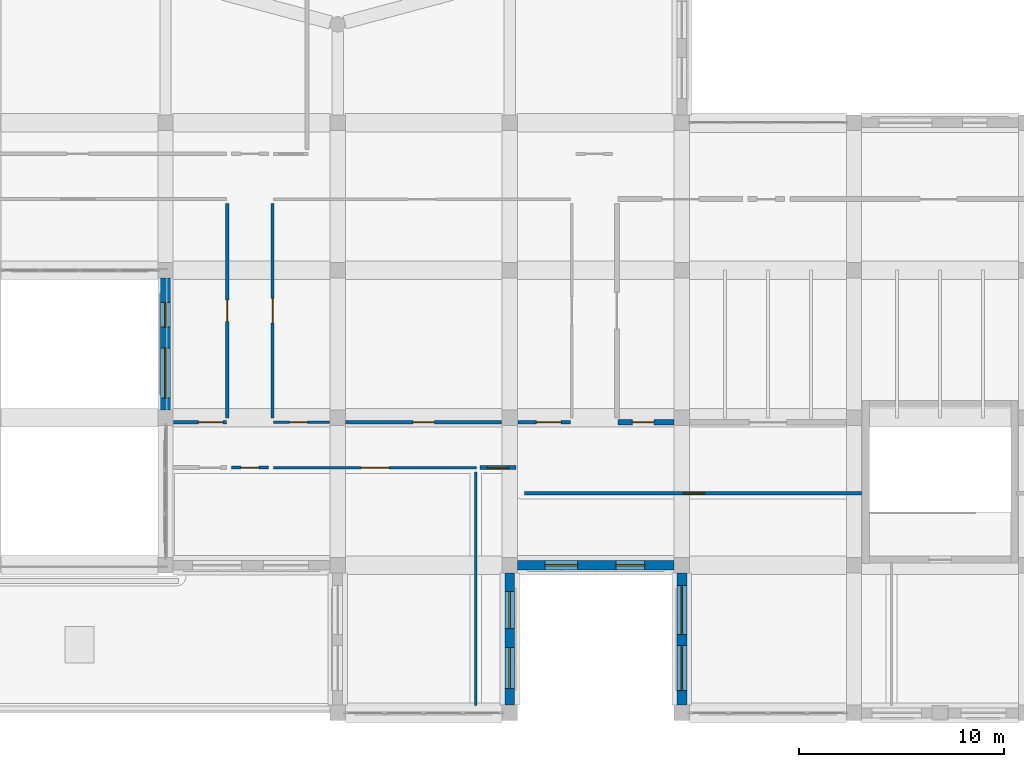
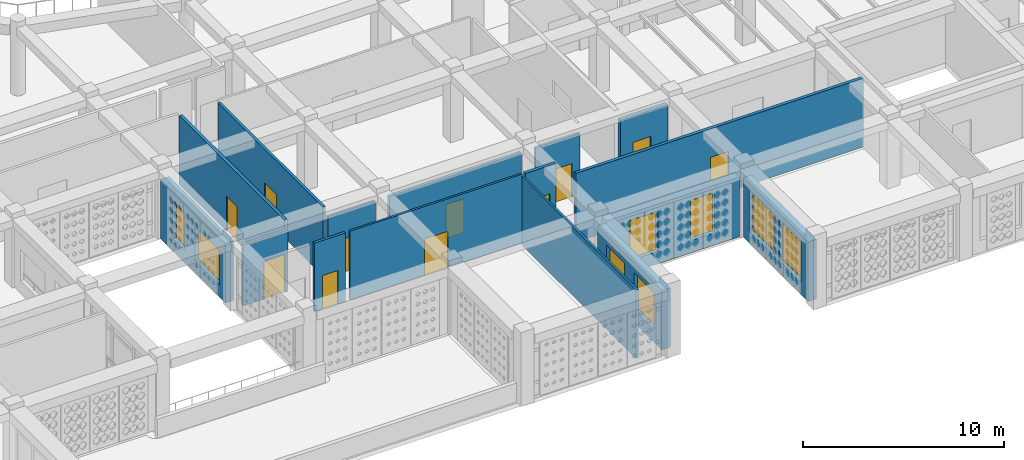
# One storey, part 61 of 111: 16 walls, 11 doors, 8 windows, 19 openings.
"""IFC4 building model written with IfcOpenShell, lengths in metres."""

import ifcopenshell
import ifcopenshell.guid

model = None  # the IFC model being written
_history = None  # IfcOwnerHistory: only IFC2X3 demands one
_inside = {}  # id of a spatial element -> (the spatial element, [elements in it])
_under = {}  # id of a project, library or spatial element -> (it, [spatial elements below it])
_declared = {}  # id of a project -> (the project, [libraries it declares])
_typed = {}  # id of a type object -> (the type object, [elements of that type])
_made_of = {}  # id of a material, layer set ... -> (it, [elements and type objects made of it])


def new_model(schema):
    """Start an empty IFC model of exactly this schema.

    Asked for "IFC4X3", IfcOpenShell would pick the latest addendum, in which some entities
    have other attributes; the version numbers below select the first issue.
    IFC2X3 requires an IfcOwnerHistory on every rooted entity: one is made here for all.
    """
    global model, _history
    if schema == "IFC4X3":
        model = ifcopenshell.file(schema_version=(4, 3, 0, 0))
    else:
        model = ifcopenshell.file(schema=schema)
    _inside.clear()
    _under.clear()
    _declared.clear()
    _typed.clear()
    _made_of.clear()
    _history = None
    if model.schema == "IFC2X3":
        org = make("IfcOrganization", Name="unknown")
        user = make(
            "IfcPersonAndOrganization",
            ThePerson=make("IfcPerson", FamilyName="unknown"),
            TheOrganization=org,
        )
        app = make(
            "IfcApplication",
            ApplicationDeveloper=org,
            Version="unknown",
            ApplicationFullName="unknown",
            ApplicationIdentifier="unknown",
        )
        _history = make(
            "IfcOwnerHistory",
            OwningUser=user,
            OwningApplication=app,
            ChangeAction="ADDED",
            CreationDate=0,
        )
    return model


def make(cls, **values):
    """One entity of the class cls with the attributes given. An attribute that is None is left unset."""
    return model.create_entity(
        cls, **{name: value for name, value in values.items() if value is not None}
    )


def rooted(cls, **values):
    """An entity with a GlobalId (a new one), such as an element, a storey or a relation."""
    return make(cls, GlobalId=ifcopenshell.guid.new(), OwnerHistory=_history, **values)


def si_unit(unit_type, name, prefix=None):
    """IfcSIUnit, for example si_unit("LENGTHUNIT", "METRE", prefix="MILLI")."""
    return make("IfcSIUnit", UnitType=unit_type, Prefix=prefix, Name=name)


def derived_unit(unit_type, elements):
    """IfcDerivedUnit: a product of units, each with its exponent."""
    return make(
        "IfcDerivedUnit",
        Elements=[
            make("IfcDerivedUnitElement", Unit=unit, Exponent=power)
            for unit, power in elements
        ],
        UnitType=unit_type,
    )


def assignment(units):
    """IfcUnitAssignment: the units of a project."""
    return None if units is None else make("IfcUnitAssignment", Units=units)


def point(xyz):
    """IfcCartesianPoint."""
    return None if xyz is None else make("IfcCartesianPoint", Coordinates=xyz)


def direction(xyz):
    """IfcDirection."""
    return None if xyz is None else make("IfcDirection", DirectionRatios=xyz)


def frame(location, z_axis=None, x_axis=None):
    """IfcAxis2Placement3D, a coordinate frame: its origin and axes. An axis left out is left unset."""
    return make(
        "IfcAxis2Placement3D",
        Location=point(location),
        Axis=direction(z_axis),
        RefDirection=direction(x_axis),
    )


def frame_2d(location, x_axis=None):
    """IfcAxis2Placement2D, a coordinate frame in the plane: its origin and x axis."""
    return make(
        "IfcAxis2Placement2D", Location=point(location), RefDirection=direction(x_axis)
    )


def origin():
    """The frame at (0, 0, 0) with its axes left unset."""
    return frame((0.0, 0.0, 0.0))


def place(relative_to, where):
    """IfcLocalPlacement: puts the frame where relative to a parent placement (None: the world)."""
    return make(
        "IfcLocalPlacement", PlacementRelTo=relative_to, RelativePlacement=where
    )


def context(
    kind, dimensions, precision=None, world=None, true_north=None, identifier=None
):
    """IfcGeometricRepresentationContext, for example the 3D "Model" context."""
    return make(
        "IfcGeometricRepresentationContext",
        ContextIdentifier=identifier,
        ContextType=kind,
        CoordinateSpaceDimension=dimensions,
        Precision=precision,
        WorldCoordinateSystem=world,
        TrueNorth=true_north,
    )


def subcontext(parent, identifier, kind, view, scale=None):
    """IfcGeometricRepresentationSubContext, for example "Body" below "Model"."""
    return make(
        "IfcGeometricRepresentationSubContext",
        ContextIdentifier=identifier,
        ContextType=kind,
        ParentContext=parent,
        TargetScale=scale,
        TargetView=view,
    )


def project(units=None, contexts=None):
    """IfcProject with its units and contexts."""
    return rooted(
        "IfcProject",
        Name="project",
        RepresentationContexts=contexts,
        UnitsInContext=assignment(units),
    )


def spatial(cls, under=None, at=None, **own):
    """A site, building, storey or space (cls), placed at a placement, below another one or the project."""
    s = rooted(cls, ObjectPlacement=at, **own)
    if under is not None:
        _under.setdefault(under.id(), (under, []))[1].append(s)
    return s


def profile(cls, at=None, kind="AREA", **sizes):
    """A parametric profile (cls). Its sizes go by their IFC names, for example OverallWidth=200.0."""
    return make(cls, ProfileType=kind, Position=at, **sizes)


def rectangle(**sizes):
    """IfcRectangleProfileDef."""
    return profile("IfcRectangleProfileDef", **sizes)


def extrude(swept, where, along, depth):
    """IfcExtrudedAreaSolid: the profile swept, set in the frame where, extruded along a direction by depth."""
    return make(
        "IfcExtrudedAreaSolid",
        SweptArea=swept,
        Position=where,
        ExtrudedDirection=direction(along),
        Depth=depth,
    )


def shape(context_of_items, identifier, shape_type, items):
    """IfcShapeRepresentation: the items that make up one representation, for example the "Body"."""
    return make(
        "IfcShapeRepresentation",
        ContextOfItems=context_of_items,
        RepresentationIdentifier=identifier,
        RepresentationType=shape_type,
        Items=items,
    )


def material(Name=None, Category=None):
    """IfcMaterial."""
    return make("IfcMaterial", Name=Name, Category=Category)


def layer(
    of_material, thickness, ventilated=None, Name=None, Category=None, Priority=None
):
    """IfcMaterialLayer: one layer of a wall or slab, of a material (None: an air gap)."""
    return make(
        "IfcMaterialLayer",
        Material=of_material,
        LayerThickness=thickness,
        IsVentilated=ventilated,
        Name=Name,
        Category=Category,
        Priority=Priority,
    )


def layer_set(layers, Name=None):
    """IfcMaterialLayerSet."""
    return make("IfcMaterialLayerSet", MaterialLayers=layers, LayerSetName=Name)


def made_of(thing, what):
    """Note that an element or type object is made of a material, layer set ...; save() writes the relation."""
    if what is not None:
        _made_of.setdefault(what.id(), (what, []))[1].append(thing)
    return thing


def type_object(cls, material=None, **own):
    """A type object (cls), such as IfcWallType, which elements share."""
    return made_of(rooted(cls, **own), material)


def element(
    cls,
    number,
    at=None,
    inside=None,
    cuts=None,
    type_object=None,
    material=None,
    context=None,
    identifier="Body",
    shape_type=None,
    held_by="IfcProductDefinitionShape",
    body=None,
    shapes=None,
    **own,
):
    """One element of the class cls, such as IfcWall. Its Tag is "e" and its number.

    at: its placement. inside: the storey or other place that contains it. cuts: it is an
    opening in that element (IfcRelVoidsElement). A single representation is given by context,
    identifier, shape_type and body (its items); several are given by shapes. held_by: the class
    of the entity that holds the representations. save() writes the other relations.
    """
    e = rooted(cls, Tag="e%d" % number, ObjectPlacement=at, **own)
    if body is not None:
        shapes = [shape(context, identifier, shape_type, body)]
    if shapes is not None:
        e.Representation = make(held_by, Representations=shapes)
    if inside is not None:
        _inside.setdefault(inside.id(), (inside, []))[1].append(e)
    if cuts is not None:
        rooted(
            "IfcRelVoidsElement", RelatingBuildingElement=cuts, RelatedOpeningElement=e
        )
    if type_object is not None:
        _typed.setdefault(type_object.id(), (type_object, []))[1].append(e)
    return made_of(e, material)


def fill(opening, filler):
    """IfcRelFillsElement: the door or window that sits in an opening."""
    return rooted(
        "IfcRelFillsElement",
        RelatingOpeningElement=opening,
        RelatedBuildingElement=filler,
    )


def aggregate(whole, parts):
    """IfcRelAggregates: a whole, such as a stair, and the parts it consists of."""
    return rooted("IfcRelAggregates", RelatingObject=whole, RelatedObjects=parts)


def save(model, path):
    """Write the relations noted so far, then the file.

    IfcRelAggregates (storeys below a building ...), IfcRelContainedInSpatialStructure (elements
    in a storey), IfcRelDefinesByType, IfcRelAssociatesMaterial and IfcRelDeclares: one each for
    every whole, place, type object, material and project.
    """
    for whole, parts in _under.values():
        aggregate(whole, parts)
    for where, things in _inside.values():
        rooted(
            "IfcRelContainedInSpatialStructure",
            RelatedElements=things,
            RelatingStructure=where,
        )
    for kind, things in _typed.values():
        rooted("IfcRelDefinesByType", RelatedObjects=things, RelatingType=kind)
    for what, things in _made_of.values():
        rooted("IfcRelAssociatesMaterial", RelatedObjects=things, RelatingMaterial=what)
    for by, libraries in _declared.values():
        rooted("IfcRelDeclares", RelatingContext=by, RelatedDefinitions=libraries)
    model.write(path)


model = new_model("IFC4")

# Units and contexts
model_context = context("Model", 3, precision=1e-05, world=origin(), true_north=direction((0.0, 1.0)))
body_context = subcontext(model_context, "Body", "Model", "MODEL_VIEW")
ifc_project = project(units=[si_unit("LENGTHUNIT", "METRE"), si_unit("AREAUNIT", "SQUARE_METRE"), si_unit("VOLUMEUNIT", "CUBIC_METRE"), si_unit("PLANEANGLEUNIT", "RADIAN"), si_unit("MASSUNIT", "GRAM", prefix="KILO"), derived_unit("THERMALTRANSMITTANCEUNIT", [(si_unit("POWERUNIT", "WATT"), 1), (si_unit("LENGTHUNIT", "METRE"), -2), (si_unit("THERMODYNAMICTEMPERATUREUNIT", "KELVIN"), -1)])], contexts=[model_context])

# Site, building, storey
site_placement = place(None, origin())
site = spatial("IfcSite", under=ifc_project, at=site_placement, CompositionType="ELEMENT")
building_placement = place(site_placement, origin())
building = spatial("IfcBuilding", under=site, at=building_placement, Name="Veybourne Emporium", CompositionType="ELEMENT")
storey_placement = place(building_placement, frame((0.0, 0.0, 9.89990234375)))
storey = spatial("IfcBuildingStorey", under=building, at=storey_placement, Name="L02", CompositionType="ELEMENT", Elevation=9.89990234375)

# Wall, openings, windows
ifc_material_1 = material(Name="Portland Limestone Ashlar", Category="masonry")
ifc_layer_1 = layer(ifc_material_1, 0.47998046875)
ifc_layer_set_1 = layer_set([ifc_layer_1], Name="Portland Limestone Ashlar")
wall_type_1 = type_object("IfcWallType", Name="ExtWall_EW-01", PredefinedType="SOLIDWALL", material=ifc_layer_set_1)
wall_1_placement = place(storey_placement, frame((67.199951171875, 14.77490234375, 0.0), z_axis=(0.0, 0.0, 1.0), x_axis=(0.0, 1.0, 0.0)))
wall_1 = element("IfcWall", 1, at=wall_1_placement, inside=storey, type_object=wall_type_1, Name="L02 Portland stone external wall 037", PredefinedType="SOLIDWALL", context=body_context, shape_type="SweptSolid", body=[
    extrude(rectangle(XDim=6.4501953125, YDim=0.47998046875, at=frame_2d((3.22509765625, 0.0))), origin(), (0.0, 0.0, 1.0), 3.630126953125),
])
opening_1_placement = place(wall_1_placement, frame((0.5810546875, 0.0, 0.75)))
opening_1 = element("IfcOpeningElement", 2, at=opening_1_placement, cuts=wall_1, Name="Opening W-16", PredefinedType="OPENING", context=body_context, shape_type="SweptSolid", body=[
    extrude(rectangle(XDim=2.449951171875, YDim=2.080078125, at=frame_2d((1.22509765625, 1.0400390625))), frame((0.0, 0.260009765625, 0.0), z_axis=(0.0, -1.0, 0.0), x_axis=(1.0, 0.0, 0.0)), (0.0, 0.0, 1.0), 0.52001953125),
])
opening_2_placement = place(wall_1_placement, frame((4.0439453125, 0.0, 0.75)))
opening_2 = element("IfcOpeningElement", 3, at=opening_2_placement, cuts=wall_1, Name="Opening W-17", PredefinedType="OPENING", context=body_context, shape_type="SweptSolid", body=[
    extrude(rectangle(XDim=1.199951171875, YDim=2.260009765625, at=frame_2d((0.60009765625, 1.1298828125))), frame((0.0, 0.260009765625, 0.0), z_axis=(0.0, -1.0, 0.0), x_axis=(1.0, 0.0, 0.0)), (0.0, 0.0, 1.0), 0.52001953125),
])
ifc_material_2 = material(Name="Low-E Triple Glazing", Category="glass")
window_type_1 = type_object("IfcWindowType", Name="Win_W-16", PartitioningType="TRIPLE_PANEL_VERTICAL", PredefinedType="WINDOW", material=ifc_material_2)
window_1_placement = place(opening_1_placement, origin())
window_1 = element("IfcWindow", 4, at=window_1_placement, inside=storey, type_object=window_type_1, Name="L02 tripartite bronze casement window W-16 (37.1)", OverallHeight=2.080078125, OverallWidth=2.449951171875, PartitioningType="TRIPLE_PANEL_VERTICAL", PredefinedType="WINDOW", context=body_context, shape_type="SweptSolid", body=[
    extrude(rectangle(XDim=2.449951171875, YDim=2.080078125, at=frame_2d((1.22509765625, 1.0400390625))), frame((0.0, 0.030029296875, 0.0), z_axis=(0.0, -1.0, 0.0), x_axis=(1.0, 0.0, 0.0)), (0.0, 0.0, 1.0), 0.06005859375),
])
fill(opening_1, window_1)
window_type_2 = type_object("IfcWindowType", Name="Win_W-17", PartitioningType="SINGLE_PANEL", PredefinedType="WINDOW", material=ifc_material_2)
window_2_placement = place(opening_2_placement, origin())
window_2 = element("IfcWindow", 5, at=window_2_placement, inside=storey, type_object=window_type_2, Name="L02 tripartite bronze casement window W-17 (37.2)", OverallHeight=2.260009765625, OverallWidth=1.199951171875, PartitioningType="SINGLE_PANEL", PredefinedType="WINDOW", context=body_context, shape_type="SweptSolid", body=[
    extrude(rectangle(XDim=1.199951171875, YDim=2.260009765625, at=frame_2d((0.60009765625, 1.1298828125))), frame((0.0, 0.030029296875, 0.0), z_axis=(0.0, -1.0, 0.0), x_axis=(1.0, 0.0, 0.0)), (0.0, 0.0, 1.0), 0.06005859375),
])
fill(opening_2, window_2)

wall_2_placement = place(storey_placement, frame((84.0, 6.824951171875, 0.0), z_axis=(0.0, 0.0, 1.0), x_axis=(0.0, -1.0, 0.0)))
wall_2 = element("IfcWall", 6, at=wall_2_placement, inside=storey, type_object=wall_type_1, Name="L02 Portland stone external wall 040", PredefinedType="SOLIDWALL", context=body_context, shape_type="SweptSolid", body=[
    extrude(rectangle(XDim=6.449951171875, YDim=0.47998046875, at=frame_2d((3.22509765625, 0.0))), origin(), (0.0, 0.0, 1.0), 3.630126953125),
])
opening_3_placement = place(wall_2_placement, frame((0.906005859375, 0.0, 0.75)))
opening_3 = element("IfcOpeningElement", 7, at=opening_3_placement, cuts=wall_2, Name="Opening W-20", PredefinedType="OPENING", context=body_context, shape_type="SweptSolid", body=[
    extrude(rectangle(XDim=1.800048828125, YDim=2.260009765625, at=frame_2d((0.89990234375, 1.1298828125))), frame((0.0, 0.260009765625, 0.0), z_axis=(0.0, -1.0, 0.0), x_axis=(1.0, 0.0, 0.0)), (0.0, 0.0, 1.0), 0.52001953125),
])
opening_4_placement = place(wall_2_placement, frame((3.64404296875, 0.0, 0.75)))
opening_4 = element("IfcOpeningElement", 8, at=opening_4_placement, cuts=wall_2, Name="Opening W-21", PredefinedType="OPENING", context=body_context, shape_type="SweptSolid", body=[
    extrude(rectangle(XDim=2.0, YDim=2.260009765625, at=frame_2d((1.0, 1.1298828125))), frame((0.0, 0.260009765625, 0.0), z_axis=(0.0, -1.0, 0.0), x_axis=(1.0, 0.0, 0.0)), (0.0, 0.0, 1.0), 0.52001953125),
])
window_type_3 = type_object("IfcWindowType", Name="Win_W-20", PartitioningType="DOUBLE_PANEL_VERTICAL", PredefinedType="WINDOW", material=ifc_material_2)
window_3_placement = place(opening_3_placement, origin())
window_3 = element("IfcWindow", 9, at=window_3_placement, inside=storey, type_object=window_type_3, Name="L02 tripartite bronze casement window W-20 (40.1)", OverallHeight=2.260009765625, OverallWidth=1.800048828125, PartitioningType="DOUBLE_PANEL_VERTICAL", PredefinedType="WINDOW", context=body_context, shape_type="SweptSolid", body=[
    extrude(rectangle(XDim=1.800048828125, YDim=2.260009765625, at=frame_2d((0.89990234375, 1.1298828125))), frame((0.0, 0.030029296875, 0.0), z_axis=(0.0, -1.0, 0.0), x_axis=(1.0, 0.0, 0.0)), (0.0, 0.0, 1.0), 0.06005859375),
])
fill(opening_3, window_3)
window_type_4 = type_object("IfcWindowType", Name="Win_W-21", PartitioningType="TRIPLE_PANEL_VERTICAL", PredefinedType="WINDOW", material=ifc_material_2)
window_4_placement = place(opening_4_placement, origin())
window_4 = element("IfcWindow", 10, at=window_4_placement, inside=storey, type_object=window_type_4, Name="L02 tripartite bronze casement window W-21 (40.2)", OverallHeight=2.260009765625, OverallWidth=2.0, PartitioningType="TRIPLE_PANEL_VERTICAL", PredefinedType="WINDOW", context=body_context, shape_type="SweptSolid", body=[
    extrude(rectangle(XDim=2.0, YDim=2.260009765625, at=frame_2d((1.0, 1.1298828125))), frame((0.0, 0.030029296875, 0.0), z_axis=(0.0, -1.0, 0.0), x_axis=(1.0, 0.0, 0.0)), (0.0, 0.0, 1.0), 0.06005859375),
])
fill(opening_4, window_4)

wall_3_placement = place(storey_placement, frame((92.02490234375, 7.199951171875, 0.0), z_axis=(0.0, 0.0, 1.0), x_axis=(-1.0, 0.0, 0.0)))
wall_3 = element("IfcWall", 11, at=wall_3_placement, inside=storey, type_object=wall_type_1, Name="L02 Portland stone external wall 043", PredefinedType="SOLIDWALL", context=body_context, shape_type="SweptSolid", body=[
    extrude(rectangle(XDim=7.64990234375, YDim=0.47998046875, at=frame_2d((3.824951171875, 0.0))), origin(), (0.0, 0.0, 1.0), 3.630126953125),
])
opening_5_placement = place(wall_3_placement, frame((1.44189453125, 0.0, 0.75)))
opening_5 = element("IfcOpeningElement", 12, at=opening_5_placement, cuts=wall_3, Name="Opening W-26", PredefinedType="OPENING", context=body_context, shape_type="SweptSolid", body=[
    extrude(rectangle(XDim=1.39990234375, YDim=2.43994140625, at=frame_2d((0.699951171875, 1.219970703125))), frame((0.0, 0.260009765625, 0.0), z_axis=(0.0, -1.0, 0.0), x_axis=(1.0, 0.0, 0.0)), (0.0, 0.0, 1.0), 0.52001953125),
])
opening_6_placement = place(wall_3_placement, frame((4.7080078125, 0.0, 0.75)))
opening_6 = element("IfcOpeningElement", 13, at=opening_6_placement, cuts=wall_3, Name="Opening W-27", PredefinedType="OPENING", context=body_context, shape_type="SweptSolid", body=[
    extrude(rectangle(XDim=1.60009765625, YDim=2.43994140625, at=frame_2d((0.800048828125, 1.219970703125))), frame((0.0, 0.260009765625, 0.0), z_axis=(0.0, -1.0, 0.0), x_axis=(1.0, 0.0, 0.0)), (0.0, 0.0, 1.0), 0.52001953125),
])
window_type_5 = type_object("IfcWindowType", Name="Win_W-26", PartitioningType="DOUBLE_PANEL_VERTICAL", PredefinedType="WINDOW", material=ifc_material_2)
window_5_placement = place(opening_5_placement, origin())
window_5 = element("IfcWindow", 14, at=window_5_placement, inside=storey, type_object=window_type_5, Name="L02 tripartite bronze casement window W-26 (43.1)", OverallHeight=2.43994140625, OverallWidth=1.39990234375, PartitioningType="DOUBLE_PANEL_VERTICAL", PredefinedType="WINDOW", context=body_context, shape_type="SweptSolid", body=[
    extrude(rectangle(XDim=1.39990234375, YDim=2.43994140625, at=frame_2d((0.699951171875, 1.219970703125))), frame((0.0, 0.030029296875, 0.0), z_axis=(0.0, -1.0, 0.0), x_axis=(1.0, 0.0, 0.0)), (0.0, 0.0, 1.0), 0.06005859375),
])
fill(opening_5, window_5)
window_type_6 = type_object("IfcWindowType", Name="Win_W-27", PartitioningType="DOUBLE_PANEL_VERTICAL", PredefinedType="WINDOW", material=ifc_material_2)
window_6_placement = place(opening_6_placement, origin())
window_6 = element("IfcWindow", 15, at=window_6_placement, inside=storey, type_object=window_type_6, Name="L02 tripartite bronze casement window W-27 (43.2)", OverallHeight=2.43994140625, OverallWidth=1.60009765625, PartitioningType="DOUBLE_PANEL_VERTICAL", PredefinedType="WINDOW", context=body_context, shape_type="SweptSolid", body=[
    extrude(rectangle(XDim=1.60009765625, YDim=2.43994140625, at=frame_2d((0.800048828125, 1.219970703125))), frame((0.0, 0.030029296875, 0.0), z_axis=(0.0, -1.0, 0.0), x_axis=(1.0, 0.0, 0.0)), (0.0, 0.0, 1.0), 0.06005859375),
])
fill(opening_6, window_6)

wall_4_placement = place(storey_placement, frame((92.39990234375, 0.375, 0.0), z_axis=(0.0, 0.0, 1.0), x_axis=(0.0, 1.0, 0.0)))
wall_4 = element("IfcWall", 16, at=wall_4_placement, inside=storey, type_object=wall_type_1, Name="L02 Portland stone external wall 047", PredefinedType="SOLIDWALL", context=body_context, shape_type="SweptSolid", body=[
    extrude(rectangle(XDim=6.449951171875, YDim=0.47998046875, at=frame_2d((3.22509765625, 0.0))), origin(), (0.0, 0.0, 1.0), 3.630126953125),
])
opening_7_placement = place(wall_4_placement, frame((0.7060546875, 0.0, 0.75)))
opening_7 = element("IfcOpeningElement", 17, at=opening_7_placement, cuts=wall_4, Name="Opening W-30", PredefinedType="OPENING", context=body_context, shape_type="SweptSolid", body=[
    extrude(rectangle(XDim=2.199951171875, YDim=2.43994140625, at=frame_2d((1.10009765625, 1.219970703125))), frame((0.0, 0.260009765625, 0.0), z_axis=(0.0, -1.0, 0.0), x_axis=(1.0, 0.0, 0.0)), (0.0, 0.0, 1.0), 0.52001953125),
])
opening_8_placement = place(wall_4_placement, frame((3.444091796875, 0.0, 0.75)))
opening_8 = element("IfcOpeningElement", 18, at=opening_8_placement, cuts=wall_4, Name="Opening W-31", PredefinedType="OPENING", context=body_context, shape_type="SweptSolid", body=[
    extrude(rectangle(XDim=2.39990234375, YDim=2.43994140625, at=frame_2d((1.199951171875, 1.219970703125))), frame((0.0, 0.260009765625, 0.0), z_axis=(0.0, -1.0, 0.0), x_axis=(1.0, 0.0, 0.0)), (0.0, 0.0, 1.0), 0.52001953125),
])
window_type_7 = type_object("IfcWindowType", Name="Win_W-30", PartitioningType="TRIPLE_PANEL_VERTICAL", PredefinedType="WINDOW", material=ifc_material_2)
window_7_placement = place(opening_7_placement, origin())
window_7 = element("IfcWindow", 19, at=window_7_placement, inside=storey, type_object=window_type_7, Name="L02 tripartite bronze casement window W-30 (47.1)", OverallHeight=2.43994140625, OverallWidth=2.199951171875, PartitioningType="TRIPLE_PANEL_VERTICAL", PredefinedType="WINDOW", context=body_context, shape_type="SweptSolid", body=[
    extrude(rectangle(XDim=2.199951171875, YDim=2.43994140625, at=frame_2d((1.10009765625, 1.219970703125))), frame((0.0, 0.030029296875, 0.0), z_axis=(0.0, -1.0, 0.0), x_axis=(1.0, 0.0, 0.0)), (0.0, 0.0, 1.0), 0.06005859375),
])
fill(opening_7, window_7)
window_type_8 = type_object("IfcWindowType", Name="Win_W-31", PartitioningType="TRIPLE_PANEL_VERTICAL", PredefinedType="WINDOW", material=ifc_material_2)
window_8_placement = place(opening_8_placement, origin())
window_8 = element("IfcWindow", 20, at=window_8_placement, inside=storey, type_object=window_type_8, Name="L02 tripartite bronze casement window W-31 (47.2)", OverallHeight=2.43994140625, OverallWidth=2.39990234375, PartitioningType="TRIPLE_PANEL_VERTICAL", PredefinedType="WINDOW", context=body_context, shape_type="SweptSolid", body=[
    extrude(rectangle(XDim=2.39990234375, YDim=2.43994140625, at=frame_2d((1.199951171875, 1.219970703125))), frame((0.0, 0.030029296875, 0.0), z_axis=(0.0, -1.0, 0.0), x_axis=(1.0, 0.0, 0.0)), (0.0, 0.0, 1.0), 0.06005859375),
])
fill(opening_8, window_8)

# Wall, opening, door
ifc_material_3 = material(Name="Concrete C32/40", Category="concrete")
ifc_layer_2 = layer(ifc_material_3, 0.25)
ifc_layer_set_2 = layer_set([ifc_layer_2], Name="Concrete C32/40")
wall_type_2 = type_object("IfcWallType", Name="IntWall_FW-01", PredefinedType="SOLIDWALL", material=ifc_layer_set_2)
wall_5_placement = place(storey_placement, frame((89.280029296875, 14.179931640625, 0.0), z_axis=(0.0, 0.0, 1.0), x_axis=(1.0, 0.0, 0.0)))
wall_5 = element("IfcWall", 21, at=wall_5_placement, inside=storey, type_object=wall_type_2, Name="L02 interior partition FW-01 #043", PredefinedType="SOLIDWALL", context=body_context, shape_type="SweptSolid", body=[
    extrude(rectangle(XDim=2.724853515625, YDim=0.25, at=frame_2d((1.3623046875, 0.0))), origin(), (0.0, 0.0, 1.0), 3.72998046875),
])
opening_9_placement = place(wall_5_placement, frame((0.70361328125, 0.0, 0.0)))
opening_9 = element("IfcOpeningElement", 22, at=opening_9_placement, cuts=wall_5, Name="Opening FD-02", PredefinedType="OPENING", context=body_context, shape_type="SweptSolid", body=[
    extrude(rectangle(XDim=1.050048828125, YDim=2.14990234375, at=frame_2d((0.52490234375, 1.074951171875))), frame((0.0, 0.14501953125, 0.0), z_axis=(0.0, -1.0, 0.0), x_axis=(1.0, 0.0, 0.0)), (0.0, 0.0, 1.0), 0.2900390625),
])
ifc_material_4 = material(Name="Patinated Architectural Bronze", Category="bronze")
door_type_1 = type_object("IfcDoorType", Name="FireDoor_FD-02", OperationType="NOTDEFINED", PredefinedType="DOOR", material=ifc_material_4)
door_1_placement = place(opening_9_placement, origin())
door_1 = element("IfcDoor", 23, at=door_1_placement, inside=storey, type_object=door_type_1, Name="L02 interior door FD-02 (PART-L02-043)", OperationType="SINGLE_SWING_RIGHT", OverallHeight=2.14990234375, OverallWidth=1.050048828125, PredefinedType="DOOR", context=body_context, shape_type="SweptSolid", body=[
    extrude(rectangle(XDim=1.050048828125, YDim=2.14990234375, at=frame_2d((0.52490234375, 1.074951171875))), frame((0.0, 0.02490234375, 0.0), z_axis=(0.0, -1.0, 0.0), x_axis=(1.0, 0.0, 0.0)), (0.0, 0.0, 1.0), 0.050048828125),
])
fill(opening_9, door_1)

ifc_material_5 = material(Name="Gypsum Acoustic Board", Category="gypsum")
ifc_layer_3 = layer(ifc_material_5, 0.179931640625)
ifc_layer_set_3 = layer_set([ifc_layer_3], Name="Gypsum Acoustic Board")
wall_type_3 = type_object("IfcWallType", Name="IntWall_IW-01", PredefinedType="PARTITIONING", material=ifc_layer_set_3)
wall_6_placement = place(storey_placement, frame((84.72998046875, 10.719970703125, 0.0), z_axis=(0.0, 0.0, 1.0), x_axis=(1.0, 0.0, 0.0)))
wall_6 = element("IfcWall", 24, at=wall_6_placement, inside=storey, type_object=wall_type_3, Name="L02 interior partition IW-01 #012", PredefinedType="PARTITIONING", context=body_context, shape_type="SweptSolid", body=[
    extrude(rectangle(XDim=16.530029296875, YDim=0.179931640625, at=frame_2d((8.26513671875, 0.0))), origin(), (0.0, 0.0, 1.0), 4.18017578125),
])
opening_10_placement = place(wall_6_placement, frame((7.7451171875, 0.0, 0.0)))
opening_10 = element("IfcOpeningElement", 25, at=opening_10_placement, cuts=wall_6, Name="Opening D-32", PredefinedType="OPENING", context=body_context, shape_type="SweptSolid", body=[
    extrude(rectangle(XDim=1.0400390625, YDim=2.449951171875, at=frame_2d((0.52001953125, 1.22509765625))), frame((0.0, 0.10986328125, 0.0), z_axis=(0.0, -1.0, 0.0), x_axis=(1.0, 0.0, 0.0)), (0.0, 0.0, 1.0), 0.219970703125),
])
ifc_material_6 = material(Name="European Oak Veneer and Bronze", Category="wood")
door_type_2 = type_object("IfcDoorType", Name="IntDoor_D-32", OperationType="NOTDEFINED", PredefinedType="DOOR", material=ifc_material_6)
door_2_placement = place(opening_10_placement, origin())
door_2 = element("IfcDoor", 26, at=door_2_placement, inside=storey, type_object=door_type_2, Name="L02 interior door D-32 (PART-L02-012)", OperationType="SINGLE_SWING_RIGHT", OverallHeight=2.449951171875, OverallWidth=1.0400390625, PredefinedType="DOOR", context=body_context, shape_type="SweptSolid", body=[
    extrude(rectangle(XDim=1.0400390625, YDim=2.449951171875, at=frame_2d((0.52001953125, 1.22509765625))), frame((0.0, 0.02490234375, 0.0), z_axis=(0.0, -1.0, 0.0), x_axis=(1.0, 0.0, 0.0)), (0.0, 0.0, 1.0), 0.050048828125),
])
fill(opening_10, door_2)

wall_7_placement = place(storey_placement, frame((75.9951171875, 14.179931640625, 0.0), z_axis=(0.0, 0.0, 1.0), x_axis=(1.0, 0.0, 0.0)))
wall_7 = element("IfcWall", 27, at=wall_7_placement, inside=storey, type_object=wall_type_3, Name="L02 interior partition IW-01 #018", PredefinedType="PARTITIONING", context=body_context, shape_type="SweptSolid", body=[
    extrude(rectangle(XDim=7.60986328125, YDim=0.179931640625, at=frame_2d((3.804931640625, 0.0))), origin(), (0.0, 0.0, 1.0), 3.72998046875),
])
opening_11_placement = place(wall_7_placement, frame((3.284912109375, 0.0, 0.0)))
opening_11 = element("IfcOpeningElement", 28, at=opening_11_placement, cuts=wall_7, Name="Opening D-02", PredefinedType="OPENING", context=body_context, shape_type="SweptSolid", body=[
    extrude(rectangle(XDim=1.0400390625, YDim=2.050048828125, at=frame_2d((0.52001953125, 1.02490234375))), frame((0.0, 0.10986328125, 0.0), z_axis=(0.0, -1.0, 0.0), x_axis=(1.0, 0.0, 0.0)), (0.0, 0.0, 1.0), 0.219970703125),
])
door_type_3 = type_object("IfcDoorType", Name="IntDoor_D-02", OperationType="NOTDEFINED", PredefinedType="DOOR", material=ifc_material_6)
door_3_placement = place(opening_11_placement, origin())
door_3 = element("IfcDoor", 29, at=door_3_placement, inside=storey, type_object=door_type_3, Name="L02 interior door D-02 (PART-L02-018)", OperationType="SINGLE_SWING_LEFT", OverallHeight=2.050048828125, OverallWidth=1.0400390625, PredefinedType="DOOR", context=body_context, shape_type="SweptSolid", body=[
    extrude(rectangle(XDim=1.0400390625, YDim=2.050048828125, at=frame_2d((0.52001953125, 1.02490234375))), frame((0.0, 0.02490234375, 0.0), z_axis=(0.0, -1.0, 0.0), x_axis=(1.0, 0.0, 0.0)), (0.0, 0.0, 1.0), 0.050048828125),
])
fill(opening_11, door_3)

wall_8_placement = place(storey_placement, frame((70.219970703125, 14.389892578125, 0.0), z_axis=(0.0, 0.0, 1.0), x_axis=(0.0, 1.0, 0.0)))
wall_8 = element("IfcWall", 30, at=wall_8_placement, inside=storey, type_object=wall_type_3, Name="L02 interior partition IW-01 #060", PredefinedType="PARTITIONING", context=body_context, shape_type="SweptSolid", body=[
    extrude(rectangle(XDim=10.47021484375, YDim=0.179931640625, at=frame_2d((5.235107421875, 0.0))), origin(), (0.0, 0.0, 1.0), 4.18017578125),
])
opening_12_placement = place(wall_8_placement, frame((4.715087890625, 0.0, 0.0)))
opening_12 = element("IfcOpeningElement", 31, at=opening_12_placement, cuts=wall_8, Name="Opening D-08", PredefinedType="OPENING", context=body_context, shape_type="SweptSolid", body=[
    extrude(rectangle(XDim=1.0400390625, YDim=2.1298828125, at=frame_2d((0.52001953125, 1.06494140625))), frame((0.0, 0.10986328125, 0.0), z_axis=(0.0, -1.0, 0.0), x_axis=(1.0, 0.0, 0.0)), (0.0, 0.0, 1.0), 0.219970703125),
])
door_type_4 = type_object("IfcDoorType", Name="IntDoor_D-08", OperationType="NOTDEFINED", PredefinedType="DOOR", material=ifc_material_6)
door_4_placement = place(opening_12_placement, origin())
door_4 = element("IfcDoor", 32, at=door_4_placement, inside=storey, type_object=door_type_4, Name="L02 interior door D-08 (PART-L02-060)", OperationType="SINGLE_SWING_LEFT", OverallHeight=2.1298828125, OverallWidth=1.0400390625, PredefinedType="DOOR", context=body_context, shape_type="SweptSolid", body=[
    extrude(rectangle(XDim=1.0400390625, YDim=2.1298828125, at=frame_2d((0.52001953125, 1.06494140625))), frame((0.0, 0.02490234375, 0.0), z_axis=(0.0, -1.0, 0.0), x_axis=(1.0, 0.0, 0.0)), (0.0, 0.0, 1.0), 0.050048828125),
])
fill(opening_12, door_4)

wall_9_placement = place(storey_placement, frame((82.5400390625, 11.969970703125, 0.0), z_axis=(0.0, 0.0, 1.0), x_axis=(1.0, 0.0, 0.0)))
wall_9 = element("IfcWall", 33, at=wall_9_placement, inside=storey, type_object=wall_type_3, Name="L02 interior partition IW-01 #156", PredefinedType="PARTITIONING", context=body_context, shape_type="SweptSolid", body=[
    extrude(rectangle(XDim=1.77001953125, YDim=0.179931640625, at=frame_2d((0.885009765625, 0.0))), origin(), (0.0, 0.0, 1.0), 4.18017578125),
])
opening_13_placement = place(wall_9_placement, frame((0.364990234375, 0.0, 0.0)))
opening_13 = element("IfcOpeningElement", 34, at=opening_13_placement, cuts=wall_9, Name="Opening D-32", PredefinedType="OPENING", context=body_context, shape_type="SweptSolid", body=[
    extrude(rectangle(XDim=1.0400390625, YDim=2.449951171875, at=frame_2d((0.52001953125, 1.22509765625))), frame((0.0, 0.10986328125, 0.0), z_axis=(0.0, -1.0, 0.0), x_axis=(1.0, 0.0, 0.0)), (0.0, 0.0, 1.0), 0.219970703125),
])
door_5_placement = place(opening_13_placement, origin())
door_5 = element("IfcDoor", 35, at=door_5_placement, inside=storey, type_object=door_type_2, Name="L02 interior door D-32 (PART-L02-156)", OperationType="SINGLE_SWING_RIGHT", OverallHeight=2.449951171875, OverallWidth=1.0400390625, PredefinedType="DOOR", context=body_context, shape_type="SweptSolid", body=[
    extrude(rectangle(XDim=1.0400390625, YDim=2.449951171875, at=frame_2d((0.52001953125, 1.22509765625))), frame((0.0, 0.02490234375, 0.0), z_axis=(0.0, -1.0, 0.0), x_axis=(1.0, 0.0, 0.0)), (0.0, 0.0, 1.0), 0.050048828125),
])
fill(opening_13, door_5)

ifc_layer_4 = layer(ifc_material_5, 0.14990234375)
ifc_layer_set_4 = layer_set([ifc_layer_4], Name="Gypsum Acoustic Board")
wall_type_4 = type_object("IfcWallType", Name="IntWall_IW-02", PredefinedType="PARTITIONING", material=ifc_layer_set_4)
wall_10_placement = place(storey_placement, frame((84.39501953125, 14.179931640625, 0.0), z_axis=(0.0, 0.0, 1.0), x_axis=(1.0, 0.0, 0.0)))
wall_10 = element("IfcWall", 36, at=wall_10_placement, inside=storey, type_object=wall_type_4, Name="L02 interior partition IW-02 #019", PredefinedType="PARTITIONING", context=body_context, shape_type="SweptSolid", body=[
    extrude(rectangle(XDim=2.574951171875, YDim=0.14990234375, at=frame_2d((1.28759765625, 0.0))), origin(), (0.0, 0.0, 1.0), 3.72998046875),
])
opening_14_placement = place(wall_10_placement, frame((0.907470703125, 0.0, 0.0)))
opening_14 = element("IfcOpeningElement", 37, at=opening_14_placement, cuts=wall_10, Name="Opening D-03", PredefinedType="OPENING", context=body_context, shape_type="SweptSolid", body=[
    extrude(rectangle(XDim=1.199951171875, YDim=2.050048828125, at=frame_2d((0.60009765625, 1.02490234375))), frame((0.0, 0.094970703125, 0.0), z_axis=(0.0, -1.0, 0.0), x_axis=(1.0, 0.0, 0.0)), (0.0, 0.0, 1.0), 0.18994140625),
])
door_type_5 = type_object("IfcDoorType", Name="IntDoor_D-03", OperationType="NOTDEFINED", PredefinedType="DOOR", material=ifc_material_6)
door_6_placement = place(opening_14_placement, origin())
door_6 = element("IfcDoor", 38, at=door_6_placement, inside=storey, type_object=door_type_5, Name="L02 interior door D-03 (PART-L02-019)", OperationType="SINGLE_SWING_RIGHT", OverallHeight=2.050048828125, OverallWidth=1.199951171875, PredefinedType="DOOR", context=body_context, shape_type="SweptSolid", body=[
    extrude(rectangle(XDim=1.199951171875, YDim=2.050048828125, at=frame_2d((0.60009765625, 1.02490234375))), frame((0.0, 0.02490234375, 0.0), z_axis=(0.0, -1.0, 0.0), x_axis=(1.0, 0.0, 0.0)), (0.0, 0.0, 1.0), 0.050048828125),
])
fill(opening_14, door_6)

wall_11_placement = place(storey_placement, frame((72.429931640625, 14.389892578125, 0.0), z_axis=(0.0, 0.0, 1.0), x_axis=(0.0, 1.0, 0.0)))
wall_11 = element("IfcWall", 39, at=wall_11_placement, inside=storey, type_object=wall_type_4, Name="L02 interior partition IW-02 #061", PredefinedType="PARTITIONING", context=body_context, shape_type="SweptSolid", body=[
    extrude(rectangle(XDim=10.47021484375, YDim=0.14990234375, at=frame_2d((5.235107421875, 0.0))), origin(), (0.0, 0.0, 1.0), 4.18017578125),
])
opening_15_placement = place(wall_11_placement, frame((4.635009765625, 0.0, 0.0)))
opening_15 = element("IfcOpeningElement", 40, at=opening_15_placement, cuts=wall_11, Name="Opening D-09", PredefinedType="OPENING", context=body_context, shape_type="SweptSolid", body=[
    extrude(rectangle(XDim=1.199951171875, YDim=2.1298828125, at=frame_2d((0.60009765625, 1.06494140625))), frame((0.0, 0.094970703125, 0.0), z_axis=(0.0, -1.0, 0.0), x_axis=(1.0, 0.0, 0.0)), (0.0, 0.0, 1.0), 0.18994140625),
])
door_type_6 = type_object("IfcDoorType", Name="IntDoor_D-09", OperationType="NOTDEFINED", PredefinedType="DOOR", material=ifc_material_6)
door_7_placement = place(opening_15_placement, origin())
door_7 = element("IfcDoor", 41, at=door_7_placement, inside=storey, type_object=door_type_6, Name="L02 interior door D-09 (PART-L02-061)", OperationType="SINGLE_SWING_RIGHT", OverallHeight=2.1298828125, OverallWidth=1.199951171875, PredefinedType="DOOR", context=body_context, shape_type="SweptSolid", body=[
    extrude(rectangle(XDim=1.199951171875, YDim=2.1298828125, at=frame_2d((0.60009765625, 1.06494140625))), frame((0.0, 0.02490234375, 0.0), z_axis=(0.0, -1.0, 0.0), x_axis=(1.0, 0.0, 0.0)), (0.0, 0.0, 1.0), 0.050048828125),
])
fill(opening_15, door_7)

wall_12_placement = place(storey_placement, frame((67.594970703125, 14.179931640625, 0.0), z_axis=(0.0, 0.0, 1.0), x_axis=(1.0, 0.0, 0.0)))
wall_12 = element("IfcWall", 42, at=wall_12_placement, inside=storey, type_object=wall_type_4, Name="L02 interior partition IW-02 #109", PredefinedType="PARTITIONING", context=body_context, shape_type="SweptSolid", body=[
    extrude(rectangle(XDim=2.574951171875, YDim=0.14990234375, at=frame_2d((1.28759765625, 0.0))), origin(), (0.0, 0.0, 1.0), 3.72998046875),
])
opening_16_placement = place(wall_12_placement, frame((1.2099609375, 0.0, 0.0)))
opening_16 = element("IfcOpeningElement", 43, at=opening_16_placement, cuts=wall_12, Name="Opening D-21", PredefinedType="OPENING", context=body_context, shape_type="SweptSolid", body=[
    extrude(rectangle(XDim=1.199951171875, YDim=2.2900390625, at=frame_2d((0.60009765625, 1.14501953125))), frame((0.0, 0.094970703125, 0.0), z_axis=(0.0, -1.0, 0.0), x_axis=(1.0, 0.0, 0.0)), (0.0, 0.0, 1.0), 0.18994140625),
])
door_type_7 = type_object("IfcDoorType", Name="IntDoor_D-21", OperationType="NOTDEFINED", PredefinedType="DOOR", material=ifc_material_6)
door_8_placement = place(opening_16_placement, origin())
door_8 = element("IfcDoor", 44, at=door_8_placement, inside=storey, type_object=door_type_7, Name="L02 interior door D-21 (PART-L02-109)", OperationType="SINGLE_SWING_LEFT", OverallHeight=2.2900390625, OverallWidth=1.199951171875, PredefinedType="DOOR", context=body_context, shape_type="SweptSolid", body=[
    extrude(rectangle(XDim=1.199951171875, YDim=2.2900390625, at=frame_2d((0.60009765625, 1.14501953125))), frame((0.0, 0.02490234375, 0.0), z_axis=(0.0, -1.0, 0.0), x_axis=(1.0, 0.0, 0.0)), (0.0, 0.0, 1.0), 0.050048828125),
])
fill(opening_16, door_8)

wall_13_placement = place(storey_placement, frame((70.429931640625, 11.969970703125, 0.0), z_axis=(0.0, 0.0, 1.0), x_axis=(1.0, 0.0, 0.0)))
wall_13 = element("IfcWall", 45, at=wall_13_placement, inside=storey, type_object=wall_type_4, Name="L02 interior partition IW-02 #148", PredefinedType="PARTITIONING", context=body_context, shape_type="SweptSolid", body=[
    extrude(rectangle(XDim=1.7900390625, YDim=0.14990234375, at=frame_2d((0.89501953125, 0.0))), origin(), (0.0, 0.0, 1.0), 4.18017578125),
])
opening_17_placement = place(wall_13_placement, frame((0.455078125, 0.0, 0.0)))
opening_17 = element("IfcOpeningElement", 46, at=opening_17_placement, cuts=wall_13, Name="Opening D-01", PredefinedType="OPENING", context=body_context, shape_type="SweptSolid", body=[
    extrude(rectangle(XDim=0.8798828125, YDim=2.050048828125, at=frame_2d((0.43994140625, 1.02490234375))), frame((0.0, 0.094970703125, 0.0), z_axis=(0.0, -1.0, 0.0), x_axis=(1.0, 0.0, 0.0)), (0.0, 0.0, 1.0), 0.18994140625),
])
door_type_8 = type_object("IfcDoorType", Name="IntDoor_D-01", OperationType="NOTDEFINED", PredefinedType="DOOR", material=ifc_material_6)
door_9_placement = place(opening_17_placement, origin())
door_9 = element("IfcDoor", 47, at=door_9_placement, inside=storey, type_object=door_type_8, Name="L02 interior door D-01 (PART-L02-148)", OperationType="SINGLE_SWING_RIGHT", OverallHeight=2.050048828125, OverallWidth=0.8798828125, PredefinedType="DOOR", context=body_context, shape_type="SweptSolid", body=[
    extrude(rectangle(XDim=0.8798828125, YDim=2.050048828125, at=frame_2d((0.43994140625, 1.02490234375))), frame((0.0, 0.02490234375, 0.0), z_axis=(0.0, -1.0, 0.0), x_axis=(1.0, 0.0, 0.0)), (0.0, 0.0, 1.0), 0.050048828125),
])
fill(opening_17, door_9)

ifc_layer_5 = layer(ifc_material_5, 0.1201171875)
ifc_layer_set_5 = layer_set([ifc_layer_5], Name="Gypsum Acoustic Board")
wall_type_5 = type_object("IfcWallType", Name="IntWall_IW-03", PredefinedType="PARTITIONING", material=ifc_layer_set_5)
wall_14_placement = place(storey_placement, frame((72.47998046875, 14.179931640625, 0.0), z_axis=(0.0, 0.0, 1.0), x_axis=(1.0, 0.0, 0.0)))
wall_14 = element("IfcWall", 48, at=wall_14_placement, inside=storey, type_object=wall_type_5, Name="L02 interior partition IW-03 #017", PredefinedType="PARTITIONING", context=body_context, shape_type="SweptSolid", body=[
    extrude(rectangle(XDim=2.72509765625, YDim=0.1201171875, at=frame_2d((1.362548828125, 0.0))), origin(), (0.0, 0.0, 1.0), 3.72998046875),
])
opening_18_placement = place(wall_14_placement, frame((0.77490234375, 0.0, 0.0)))
opening_18 = element("IfcOpeningElement", 49, at=opening_18_placement, cuts=wall_14, Name="Opening D-01", PredefinedType="OPENING", context=body_context, shape_type="SweptSolid", body=[
    extrude(rectangle(XDim=0.8798828125, YDim=2.050048828125, at=frame_2d((0.43994140625, 1.02490234375))), frame((0.0, 0.080078125, 0.0), z_axis=(0.0, -1.0, 0.0), x_axis=(1.0, 0.0, 0.0)), (0.0, 0.0, 1.0), 0.16015625),
])
door_10_placement = place(opening_18_placement, origin())
door_10 = element("IfcDoor", 50, at=door_10_placement, inside=storey, type_object=door_type_8, Name="L02 interior door D-01 (PART-L02-017)", OperationType="SINGLE_SWING_RIGHT", OverallHeight=2.050048828125, OverallWidth=0.8798828125, PredefinedType="DOOR", context=body_context, shape_type="SweptSolid", body=[
    extrude(rectangle(XDim=0.8798828125, YDim=2.050048828125, at=frame_2d((0.43994140625, 1.02490234375))), frame((0.0, 0.02490234375, 0.0), z_axis=(0.0, -1.0, 0.0), x_axis=(1.0, 0.0, 0.0)), (0.0, 0.0, 1.0), 0.050048828125),
])
fill(opening_18, door_10)

wall_15_placement = place(storey_placement, frame((72.47998046875, 11.969970703125, 0.0), z_axis=(0.0, 0.0, 1.0), x_axis=(1.0, 0.0, 0.0)))
wall_15 = element("IfcWall", 51, at=wall_15_placement, inside=storey, type_object=wall_type_5, Name="L02 interior partition IW-03 #068", PredefinedType="PARTITIONING", context=body_context, shape_type="SweptSolid", body=[
    extrude(rectangle(XDim=9.89990234375, YDim=0.1201171875, at=frame_2d((4.949951171875, 0.0))), origin(), (0.0, 0.0, 1.0), 4.18017578125),
])
opening_19_placement = place(wall_15_placement, frame((4.27001953125, 0.0, 0.0)))
opening_19 = element("IfcOpeningElement", 52, at=opening_19_placement, cuts=wall_15, Name="Opening D-16", PredefinedType="OPENING", context=body_context, shape_type="SweptSolid", body=[
    extrude(rectangle(XDim=1.360107421875, YDim=2.2099609375, at=frame_2d((0.68017578125, 1.10498046875))), frame((0.0, 0.080078125, 0.0), z_axis=(0.0, -1.0, 0.0), x_axis=(1.0, 0.0, 0.0)), (0.0, 0.0, 1.0), 0.16015625),
])
door_type_9 = type_object("IfcDoorType", Name="IntDoor_D-16", OperationType="NOTDEFINED", PredefinedType="DOOR", material=ifc_material_6)
door_11_placement = place(opening_19_placement, origin())
door_11 = element("IfcDoor", 53, at=door_11_placement, inside=storey, type_object=door_type_9, Name="L02 interior door D-16 (PART-L02-068)", OperationType="SINGLE_SWING_LEFT", OverallHeight=2.2099609375, OverallWidth=1.360107421875, PredefinedType="DOOR", context=body_context, shape_type="SweptSolid", body=[
    extrude(rectangle(XDim=1.360107421875, YDim=2.2099609375, at=frame_2d((0.68017578125, 1.10498046875))), frame((0.0, 0.02490234375, 0.0), z_axis=(0.0, -1.0, 0.0), x_axis=(1.0, 0.0, 0.0)), (0.0, 0.0, 1.0), 0.050048828125),
])
fill(opening_19, door_11)

# Wall
wall_16_placement = place(storey_placement, frame((82.330078125, 0.3701171875, 0.0), z_axis=(0.0, 0.0, 1.0), x_axis=(0.0, 1.0, 0.0)))
element("IfcWall", 54, at=wall_16_placement, inside=storey, type_object=wall_type_5, Name="L02 interior partition IW-03 #179", PredefinedType="PARTITIONING", context=body_context, shape_type="SweptSolid", body=[
    extrude(rectangle(XDim=11.389892578125, YDim=0.1201171875, at=frame_2d((5.69482421875, 0.0))), origin(), (0.0, 0.0, 1.0), 4.18017578125),
])

save(model, "model.ifc")
